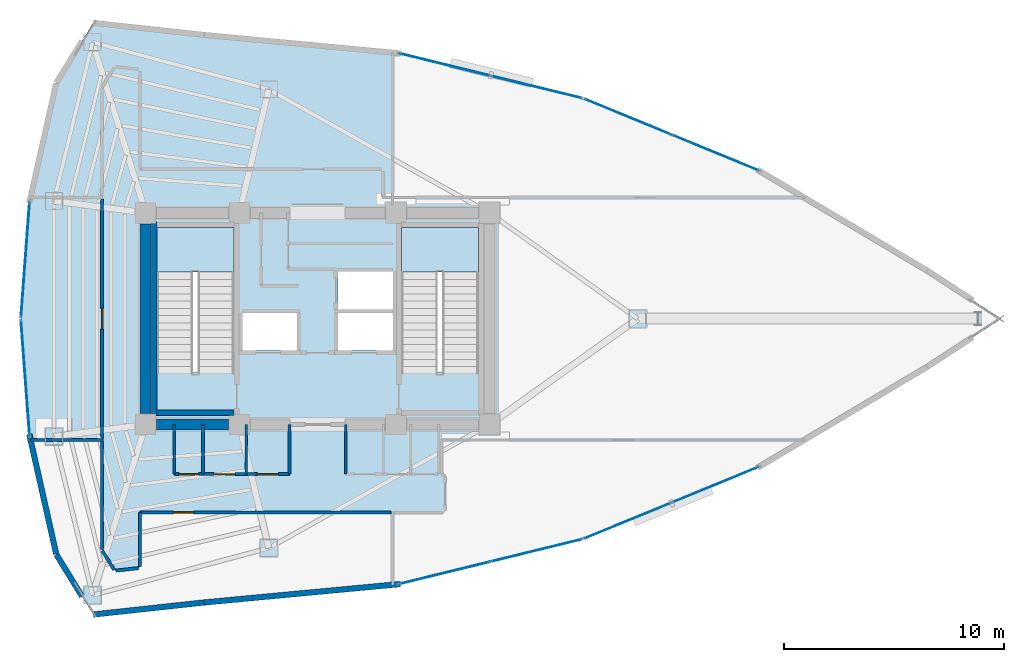
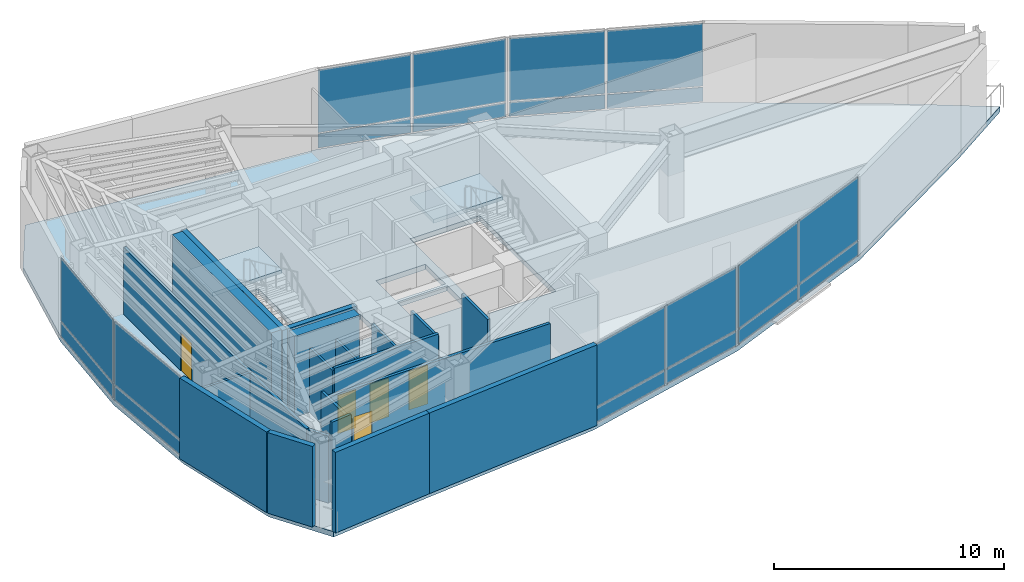
# One storey, part 13 of 17: 21 walls, 20 plates, 5 doors, 3 slabs, 5 openings, 8 elements without a shape of their own.
"""IFC4 building model written with IfcOpenShell, lengths in metres."""

from ifc_helpers import new_model, si_unit, direction, frame, frame_2d, origin, origin_2d, place, context, subcontext, project, spatial, polyline, rectangle, outline, extrude, material, layer, layer_set, type_object, element, fill, aggregate, save


model = new_model("IFC4")

# Units and contexts
model_context = context("Model", 3, precision=1e-05, world=origin(), true_north=direction((0.0, 1.0)))
body_context = subcontext(model_context, "Body", "Model", "MODEL_VIEW")
ifc_project = project(units=[si_unit("LENGTHUNIT", "METRE"), si_unit("AREAUNIT", "SQUARE_METRE"), si_unit("VOLUMEUNIT", "CUBIC_METRE"), si_unit("PLANEANGLEUNIT", "RADIAN"), si_unit("MASSUNIT", "GRAM", prefix="KILO")], contexts=[model_context])

# Site, building, storey
site_placement = place(None, origin())
site = spatial("IfcSite", under=ifc_project, at=site_placement, CompositionType="ELEMENT")
building_placement = place(site_placement, origin())
building = spatial("IfcBuilding", under=site, at=building_placement, Name="Menara Vayukalpa", CompositionType="ELEMENT")
storey_placement = place(building_placement, frame((0.0, 0.0, 242.639892578125)))
storey = spatial("IfcBuildingStorey", under=building, at=storey_placement, Name="L61", CompositionType="ELEMENT", Elevation=242.639892578125)

# Curtain wall, plates
ifc_material_1 = material(Name="Anodised Terracotta Aluminium Alloy 6063-T6", Category="masonry")
ifc_layer_1 = layer(ifc_material_1, 0.179931640625)
ifc_layer_set_1 = layer_set([ifc_layer_1], Name="Anodised Terracotta Aluminium Alloy 6063-T6")
curtain_wall_type = type_object("IfcCurtainWallType", Name="CW-CW4", PredefinedType="USERDEFINED", material=ifc_layer_set_1)
curtain_wall_1_placement = place(storey_placement, origin())
curtain_wall_1 = element("IfcCurtainWall", 1, at=curtain_wall_1_placement, inside=storey, type_object=curtain_wall_type, Name="L61 Sky Bar Cantilever Glazed Curtain Wall CW4 04", ObjectType="UNITISED", PredefinedType="USERDEFINED")
ifc_material_2 = material(Name="Low-E Double Glazing", Category="glass")
ifc_layer_2 = layer(ifc_material_2, 0.0380859375)
ifc_layer_set_2 = layer_set([ifc_layer_2], Name="Low-E Double Glazing")
plate_type = type_object("IfcPlateType", Name="CWP-CW4", PredefinedType="CURTAIN_PANEL", material=ifc_layer_set_2)
plate_1_placement = place(storey_placement, frame((43.641845703125, 29.53271484375, 0.070068359375), z_axis=(0.0, 0.0, 1.0), x_axis=(-0.924970279301, 0.380039448491, 0.0)))
plate_1 = element("IfcPlate", 2, at=plate_1_placement, type_object=plate_type, Name="CW4 panel 1.1", PredefinedType="CURTAIN_PANEL", context=body_context, shape_type="SweptSolid", body=[
    extrude(rectangle(XDim=4.21435546875, YDim=0.0380859375, at=origin_2d()), origin(), (0.0, 0.0, 1.0), 0.7451171875),
])
plate_2_placement = place(storey_placement, frame((43.641845703125, 29.53271484375, 0.88525390625), z_axis=(0.0, 0.0, 1.0), x_axis=(-0.924970279301, 0.380039448491, 0.0)))
plate_2 = element("IfcPlate", 3, at=plate_2_placement, type_object=plate_type, Name="CW4 panel 1.2", PredefinedType="CURTAIN_PANEL", context=body_context, shape_type="SweptSolid", body=[
    extrude(rectangle(XDim=4.21435546875, YDim=0.0380859375, at=origin_2d()), origin(), (0.0, 0.0, 1.0), 3.324951171875),
])
plate_3_placement = place(storey_placement, frame((39.67431640625, 31.16259765625, 0.070068359375), z_axis=(0.0, 0.0, 1.0), x_axis=(-0.924970279301, 0.380039448491, 0.0)))
plate_3 = element("IfcPlate", 4, at=plate_3_placement, type_object=plate_type, Name="CW4 panel 2.1", PredefinedType="CURTAIN_PANEL", context=body_context, shape_type="SweptSolid", body=[
    extrude(rectangle(XDim=4.21435546875, YDim=0.0380859375, at=origin_2d()), origin(), (0.0, 0.0, 1.0), 0.7451171875),
])
plate_4_placement = place(storey_placement, frame((39.67431640625, 31.16259765625, 0.88525390625), z_axis=(0.0, 0.0, 1.0), x_axis=(-0.924970279301, 0.380039448491, 0.0)))
plate_4 = element("IfcPlate", 5, at=plate_4_placement, type_object=plate_type, Name="CW4 panel 2.2", PredefinedType="CURTAIN_PANEL", context=body_context, shape_type="SweptSolid", body=[
    extrude(rectangle(XDim=4.21435546875, YDim=0.0380859375, at=origin_2d()), origin(), (0.0, 0.0, 1.0), 3.324951171875),
])
aggregate(curtain_wall_1, [plate_1, plate_2, plate_3, plate_4])

curtain_wall_2_placement = place(storey_placement, origin())
curtain_wall_2 = element("IfcCurtainWall", 6, at=curtain_wall_2_placement, inside=storey, type_object=curtain_wall_type, Name="L61 Sky Bar Cantilever Glazed Curtain Wall CW4 05", ObjectType="UNITISED", PredefinedType="USERDEFINED")
plate_5_placement = place(storey_placement, frame((35.536376953125, 32.510986328125, 0.070068359375), z_axis=(0.0, 0.0, 1.0), x_axis=(-0.971311749097, 0.237809768652, 0.0)))
plate_5 = element("IfcPlate", 7, at=plate_5_placement, type_object=plate_type, Name="CW4 panel 1.1", PredefinedType="CURTAIN_PANEL", context=body_context, shape_type="SweptSolid", body=[
    extrude(rectangle(XDim=4.21435546875, YDim=0.0380859375, at=origin_2d()), origin(), (0.0, 0.0, 1.0), 0.7451171875),
])
plate_6_placement = place(storey_placement, frame((35.536376953125, 32.510986328125, 0.88525390625), z_axis=(0.0, 0.0, 1.0), x_axis=(-0.971311749097, 0.237809768652, 0.0)))
plate_6 = element("IfcPlate", 8, at=plate_6_placement, type_object=plate_type, Name="CW4 panel 1.2", PredefinedType="CURTAIN_PANEL", context=body_context, shape_type="SweptSolid", body=[
    extrude(rectangle(XDim=4.21435546875, YDim=0.0380859375, at=origin_2d()), origin(), (0.0, 0.0, 1.0), 3.324951171875),
])
plate_7_placement = place(storey_placement, frame((31.3701171875, 33.531005859375, 0.070068359375), z_axis=(0.0, 0.0, 1.0), x_axis=(-0.971311749097, 0.237809768652, 0.0)))
plate_7 = element("IfcPlate", 9, at=plate_7_placement, type_object=plate_type, Name="CW4 panel 2.1", PredefinedType="CURTAIN_PANEL", context=body_context, shape_type="SweptSolid", body=[
    extrude(rectangle(XDim=4.21435546875, YDim=0.0380859375, at=origin_2d()), origin(), (0.0, 0.0, 1.0), 0.7451171875),
])
plate_8_placement = place(storey_placement, frame((31.3701171875, 33.531005859375, 0.88525390625), z_axis=(0.0, 0.0, 1.0), x_axis=(-0.971311749097, 0.237809768652, 0.0)))
plate_8 = element("IfcPlate", 10, at=plate_8_placement, type_object=plate_type, Name="CW4 panel 2.2", PredefinedType="CURTAIN_PANEL", context=body_context, shape_type="SweptSolid", body=[
    extrude(rectangle(XDim=4.21435546875, YDim=0.0380859375, at=origin_2d()), origin(), (0.0, 0.0, 1.0), 3.324951171875),
])
aggregate(curtain_wall_2, [plate_5, plate_6, plate_7, plate_8])

curtain_wall_3_placement = place(storey_placement, origin())
curtain_wall_3 = element("IfcCurtainWall", 11, at=curtain_wall_3_placement, inside=storey, type_object=curtain_wall_type, Name="L61 Sky Bar Cantilever Glazed Curtain Wall CW4 10", ObjectType="UNITISED", PredefinedType="USERDEFINED")
plate_9_placement = place(storey_placement, frame((12.33837890625, 24.67333984375, 0.070068359375), z_axis=(0.0, 0.0, 1.0), x_axis=(-0.074789484574, -0.997199344663, 0.0)))
plate_9 = element("IfcPlate", 12, at=plate_9_placement, type_object=plate_type, Name="CW4 panel 1.1", PredefinedType="CURTAIN_PANEL", context=body_context, shape_type="SweptSolid", body=[
    extrude(rectangle(XDim=5.211669921875, YDim=0.0380859375, at=origin_2d()), origin(), (0.0, 0.0, 1.0), 0.7451171875),
])
plate_10_placement = place(storey_placement, frame((12.33837890625, 24.67333984375, 0.88525390625), z_axis=(0.0, 0.0, 1.0), x_axis=(-0.074789484574, -0.997199344663, 0.0)))
plate_10 = element("IfcPlate", 13, at=plate_10_placement, type_object=plate_type, Name="CW4 panel 1.2", PredefinedType="CURTAIN_PANEL", context=body_context, shape_type="SweptSolid", body=[
    extrude(rectangle(XDim=5.211669921875, YDim=0.0380859375, at=origin_2d()), origin(), (0.0, 0.0, 1.0), 3.324951171875),
])
aggregate(curtain_wall_3, [plate_9, plate_10])

curtain_wall_4_placement = place(storey_placement, origin())
curtain_wall_4 = element("IfcCurtainWall", 14, at=curtain_wall_4_placement, inside=storey, type_object=curtain_wall_type, Name="L61 Sky Bar Cantilever Glazed Curtain Wall CW4 11", ObjectType="UNITISED", PredefinedType="USERDEFINED")
plate_11_placement = place(storey_placement, frame((12.33837890625, 19.32666015625, 0.070068359375), z_axis=(0.0, 0.0, 1.0), x_axis=(0.074789484574, -0.997199344663, 0.0)))
plate_11 = element("IfcPlate", 15, at=plate_11_placement, type_object=plate_type, Name="CW4 panel 1.1", PredefinedType="CURTAIN_PANEL", context=body_context, shape_type="SweptSolid", body=[
    extrude(rectangle(XDim=5.211669921875, YDim=0.0380859375, at=origin_2d()), origin(), (0.0, 0.0, 1.0), 0.7451171875),
])
plate_12_placement = place(storey_placement, frame((12.33837890625, 19.32666015625, 0.88525390625), z_axis=(0.0, 0.0, 1.0), x_axis=(0.074789484574, -0.997199344663, 0.0)))
plate_12 = element("IfcPlate", 16, at=plate_12_placement, type_object=plate_type, Name="CW4 panel 1.2", PredefinedType="CURTAIN_PANEL", context=body_context, shape_type="SweptSolid", body=[
    extrude(rectangle(XDim=5.211669921875, YDim=0.0380859375, at=origin_2d()), origin(), (0.0, 0.0, 1.0), 3.324951171875),
])
aggregate(curtain_wall_4, [plate_11, plate_12])

curtain_wall_5_placement = place(storey_placement, origin())
curtain_wall_5 = element("IfcCurtainWall", 17, at=curtain_wall_5_placement, inside=storey, type_object=curtain_wall_type, Name="L61 Sky Bar Cantilever Glazed Curtain Wall CW4 16", ObjectType="UNITISED", PredefinedType="USERDEFINED")
plate_13_placement = place(storey_placement, frame((31.3701171875, 10.468994140625, 0.070068359375), z_axis=(0.0, 0.0, 1.0), x_axis=(0.971311749097, 0.237809768652, 0.0)))
plate_13 = element("IfcPlate", 18, at=plate_13_placement, type_object=plate_type, Name="CW4 panel 1.1", PredefinedType="CURTAIN_PANEL", context=body_context, shape_type="SweptSolid", body=[
    extrude(rectangle(XDim=4.21435546875, YDim=0.0380859375, at=origin_2d()), origin(), (0.0, 0.0, 1.0), 0.7451171875),
])
plate_14_placement = place(storey_placement, frame((31.3701171875, 10.468994140625, 0.88525390625), z_axis=(0.0, 0.0, 1.0), x_axis=(0.971311749097, 0.237809768652, 0.0)))
plate_14 = element("IfcPlate", 19, at=plate_14_placement, type_object=plate_type, Name="CW4 panel 1.2", PredefinedType="CURTAIN_PANEL", context=body_context, shape_type="SweptSolid", body=[
    extrude(rectangle(XDim=4.21435546875, YDim=0.0380859375, at=origin_2d()), origin(), (0.0, 0.0, 1.0), 3.324951171875),
])
plate_15_placement = place(storey_placement, frame((35.536376953125, 11.489013671875, 0.070068359375), z_axis=(0.0, 0.0, 1.0), x_axis=(0.971311749097, 0.237809768652, 0.0)))
plate_15 = element("IfcPlate", 20, at=plate_15_placement, type_object=plate_type, Name="CW4 panel 2.1", PredefinedType="CURTAIN_PANEL", context=body_context, shape_type="SweptSolid", body=[
    extrude(rectangle(XDim=4.21435546875, YDim=0.0380859375, at=origin_2d()), origin(), (0.0, 0.0, 1.0), 0.7451171875),
])
plate_16_placement = place(storey_placement, frame((35.536376953125, 11.489013671875, 0.88525390625), z_axis=(0.0, 0.0, 1.0), x_axis=(0.971311749097, 0.237809768652, 0.0)))
plate_16 = element("IfcPlate", 21, at=plate_16_placement, type_object=plate_type, Name="CW4 panel 2.2", PredefinedType="CURTAIN_PANEL", context=body_context, shape_type="SweptSolid", body=[
    extrude(rectangle(XDim=4.21435546875, YDim=0.0380859375, at=origin_2d()), origin(), (0.0, 0.0, 1.0), 3.324951171875),
])
aggregate(curtain_wall_5, [plate_13, plate_14, plate_15, plate_16])

curtain_wall_6_placement = place(storey_placement, origin())
curtain_wall_6 = element("IfcCurtainWall", 22, at=curtain_wall_6_placement, inside=storey, type_object=curtain_wall_type, Name="L61 Sky Bar Cantilever Glazed Curtain Wall CW4 17", ObjectType="UNITISED", PredefinedType="USERDEFINED")
plate_17_placement = place(storey_placement, frame((39.67431640625, 12.83740234375, 0.070068359375), z_axis=(0.0, 0.0, 1.0), x_axis=(0.924970279301, 0.380039448491, 0.0)))
plate_17 = element("IfcPlate", 23, at=plate_17_placement, type_object=plate_type, Name="CW4 panel 1.1", PredefinedType="CURTAIN_PANEL", context=body_context, shape_type="SweptSolid", body=[
    extrude(rectangle(XDim=4.21435546875, YDim=0.0380859375, at=origin_2d()), origin(), (0.0, 0.0, 1.0), 0.7451171875),
])
plate_18_placement = place(storey_placement, frame((39.67431640625, 12.83740234375, 0.88525390625), z_axis=(0.0, 0.0, 1.0), x_axis=(0.924970279301, 0.380039448491, 0.0)))
plate_18 = element("IfcPlate", 24, at=plate_18_placement, type_object=plate_type, Name="CW4 panel 1.2", PredefinedType="CURTAIN_PANEL", context=body_context, shape_type="SweptSolid", body=[
    extrude(rectangle(XDim=4.21435546875, YDim=0.0380859375, at=origin_2d()), origin(), (0.0, 0.0, 1.0), 3.324951171875),
])
plate_19_placement = place(storey_placement, frame((43.641845703125, 14.46728515625, 0.070068359375), z_axis=(0.0, 0.0, 1.0), x_axis=(0.924970279301, 0.380039448491, 0.0)))
plate_19 = element("IfcPlate", 25, at=plate_19_placement, type_object=plate_type, Name="CW4 panel 2.1", PredefinedType="CURTAIN_PANEL", context=body_context, shape_type="SweptSolid", body=[
    extrude(rectangle(XDim=4.21435546875, YDim=0.0380859375, at=origin_2d()), origin(), (0.0, 0.0, 1.0), 0.7451171875),
])
plate_20_placement = place(storey_placement, frame((43.641845703125, 14.46728515625, 0.88525390625), z_axis=(0.0, 0.0, 1.0), x_axis=(0.924970279301, 0.380039448491, 0.0)))
plate_20 = element("IfcPlate", 26, at=plate_20_placement, type_object=plate_type, Name="CW4 panel 2.2", PredefinedType="CURTAIN_PANEL", context=body_context, shape_type="SweptSolid", body=[
    extrude(rectangle(XDim=4.21435546875, YDim=0.0380859375, at=origin_2d()), origin(), (0.0, 0.0, 1.0), 3.324951171875),
])
aggregate(curtain_wall_6, [plate_17, plate_18, plate_19, plate_20])

# Slab
ifc_material_3 = material(Name="Concrete C40/50", Category="concrete")
ifc_layer_3 = layer(ifc_material_3, 0.280029296875)
ifc_layer_set_3 = layer_set([ifc_layer_3], Name="Concrete C40/50")
slab_type_1 = type_object("IfcSlabType", Name="SLB-FL280", PredefinedType="FLOOR", material=ifc_layer_set_3)
slab_1_placement = place(storey_placement, frame((0.0, 0.0, -0.27978515625)))
element("IfcSlab", 27, at=slab_1_placement, inside=storey, type_object=slab_type_1, Name="L61 Sky Bar Structural Floor Slab", PredefinedType="FLOOR", context=body_context, shape_type="SweptSolid", body=[
    extrude(outline(polyline([(53.263427734375, 19.816162109375), (56.61474609375, 22.0), (53.263427734375, 24.183837890625), (45.660400390625, 28.703369140625), (37.656005859375, 31.991943359375), (29.250732421875, 34.0498046875), (20.444580078125, 34.877197265625), (15.41748046875, 35.423095703125), (13.741943359375, 32.693359375), (12.5390625, 27.3466796875), (12.137939453125, 22.0), (12.5390625, 16.6533203125), (13.741943359375, 11.306640625), (15.41748046875, 8.576904296875), (20.444580078125, 9.122802734375), (29.250732421875, 9.9501953125), (37.656005859375, 12.008056640625), (45.660400390625, 15.296630859375), (53.263427734375, 19.816162109375)]), holes=[polyline([(21.800048828125, 19.550048828125), (21.800048828125, 26.14990234375), (18.300048828125, 26.14990234375), (18.300048828125, 19.550048828125), (21.800048828125, 19.550048828125)]), polyline([(32.89990234375, 19.550048828125), (32.89990234375, 26.14990234375), (29.39990234375, 26.14990234375), (29.39990234375, 19.550048828125), (32.89990234375, 19.550048828125)]), polyline([(22.179931640625, 20.550048828125), (24.679931640625, 20.550048828125), (24.679931640625, 22.27001953125), (22.179931640625, 22.27001953125), (22.179931640625, 20.550048828125)]), polyline([(26.52001953125, 20.550048828125), (29.02001953125, 20.550048828125), (29.02001953125, 22.27001953125), (26.52001953125, 22.27001953125), (26.52001953125, 20.550048828125)]), polyline([(26.52001953125, 22.419921875), (29.02001953125, 22.419921875), (29.02001953125, 24.139892578125), (26.52001953125, 24.139892578125), (26.52001953125, 22.419921875)])]), origin(), (0.0, 0.0, 1.0), 0.27978515625),
])

# Stair, slab
ifc_material_4 = material(Name="Precast Concrete C40/50", Category="concrete")
stair_type = type_object("IfcStairType", Name="STR-T06", PredefinedType="DOUBLE_RETURN_STAIR", material=ifc_material_4)
stair_1_placement = place(storey_placement, origin())
stair_1 = element("IfcStair", 28, at=stair_1_placement, inside=storey, type_object=stair_type, Name="L61 Core Exit Stair ST-1", PredefinedType="DOUBLE_RETURN_STAIR")
ifc_material_5 = material(Name="Precast Concrete C40/50", Category="concrete")
ifc_layer_4 = layer(ifc_material_5, 0.199951171875)
ifc_layer_set_4 = layer_set([ifc_layer_4], Name="Precast Concrete C40/50")
slab_type_2 = type_object("IfcSlabType", Name="SLB-LND200", PredefinedType="LANDING", material=ifc_layer_set_4)
slab_2_placement = place(storey_placement, frame((0.0, 0.0, 2.050048828125)))
slab_2 = element("IfcSlab", 29, at=slab_2_placement, type_object=slab_type_2, Name="ST-1 landing 1", PredefinedType="LANDING", context=body_context, shape_type="SweptSolid", body=[
    extrude(outline(polyline([(21.800048828125, 24.1201171875), (21.800048828125, 26.14990234375), (18.300048828125, 26.14990234375), (18.300048828125, 24.1201171875), (21.800048828125, 24.1201171875)])), origin(), (0.0, 0.0, 1.0), 0.199951171875),
])
aggregate(stair_1, [slab_2])

stair_2_placement = place(storey_placement, origin())
stair_2 = element("IfcStair", 30, at=stair_2_placement, inside=storey, type_object=stair_type, Name="L61 Core Exit Stair ST-2", PredefinedType="DOUBLE_RETURN_STAIR")
slab_3_placement = place(storey_placement, frame((0.0, 0.0, 2.050048828125)))
slab_3 = element("IfcSlab", 31, at=slab_3_placement, type_object=slab_type_2, Name="ST-2 landing 1", PredefinedType="LANDING", context=body_context, shape_type="SweptSolid", body=[
    extrude(outline(polyline([(32.89990234375, 24.1201171875), (32.89990234375, 26.14990234375), (29.39990234375, 26.14990234375), (29.39990234375, 24.1201171875), (32.89990234375, 24.1201171875)])), origin(), (0.0, 0.0, 1.0), 0.199951171875),
])
aggregate(stair_2, [slab_3])

# Walls
ifc_material_6 = material(Name="Concrete C60/75", Category="concrete")
ifc_layer_5 = layer(ifc_material_6, 0.5)
ifc_layer_set_5 = layer_set([ifc_layer_5], Name="Concrete C60/75")
wall_type_1 = type_object("IfcWallType", Name="WAL-CW500", PredefinedType="SHEAR", material=ifc_layer_set_5)
wall_1_placement = place(storey_placement, frame((18.294921875, 17.199951171875, 0.0), z_axis=(0.0, 0.0, 1.0), x_axis=(1.0, 0.0, 0.0)))
element("IfcWall", 32, at=wall_1_placement, inside=storey, type_object=wall_type_1, Name="L61 Buttressed Core Shear Wall CWS1", PredefinedType="SHEAR", context=body_context, shape_type="SweptSolid", body=[
    extrude(rectangle(XDim=3.260009765625, YDim=0.5, at=frame_2d((1.6298828125, 0.0))), origin(), (0.0, 0.0, 1.0), 4.280029296875),
])
wall_2_placement = place(storey_placement, frame((17.800048828125, 17.695068359375, 0.0), z_axis=(0.0, 0.0, 1.0), x_axis=(0.0, 1.0, 0.0)))
element("IfcWall", 33, at=wall_2_placement, inside=storey, type_object=wall_type_1, Name="L61 Buttressed Core Shear Wall CWW1", PredefinedType="SHEAR", context=body_context, shape_type="SweptSolid", body=[
    extrude(rectangle(XDim=8.60986328125, YDim=0.5, at=frame_2d((4.304931640625, 0.0))), origin(), (0.0, 0.0, 1.0), 4.280029296875),
])
ifc_material_7 = material(Name="Insulated Precast Concrete C40/50", Category="concrete")
ifc_layer_6 = layer(ifc_material_7, 0.260009765625)
ifc_layer_set_6 = layer_set([ifc_layer_6], Name="Insulated Precast Concrete C40/50")
wall_type_2 = type_object("IfcWallType", Name="WAL-EXT260", PredefinedType="PARTITIONING", material=ifc_layer_set_6)
wall_3_placement = place(storey_placement, frame((13.73974609375, 11.316650390625, 0.0), z_axis=(0.0, 0.0, 1.0), x_axis=(-0.219510112872, 0.975610224601, 0.0)))
element("IfcWall", 34, at=wall_3_placement, inside=storey, type_object=wall_type_2, Name="L61 Perimeter Terracotta Pier Wall 12", PredefinedType="PARTITIONING", context=body_context, shape_type="SweptSolid", body=[
    extrude(rectangle(XDim=5.579833984375, YDim=0.260009765625, at=frame_2d((2.7900390625, 0.0))), origin(), (0.0, 0.0, 1.0), 4.280029296875),
])
wall_4_placement = place(storey_placement, frame((14.912353515625, 9.39990234375, 0.0), z_axis=(0.0, 0.0, 1.0), x_axis=(-0.52314291314, 0.852244972077, 0.0)))
element("IfcWall", 35, at=wall_4_placement, inside=storey, type_object=wall_type_2, Name="L61 Perimeter Terracotta Pier Wall 13", PredefinedType="PARTITIONING", context=body_context, shape_type="SweptSolid", body=[
    extrude(rectangle(XDim=2.22705078125, YDim=0.260009765625, at=frame_2d((1.113525390625, 0.0))), origin(), (0.0, 0.0, 1.0), 4.280029296875),
])
wall_5_placement = place(storey_placement, frame((20.450439453125, 9.123291015625, 0.0), z_axis=(0.0, 0.0, 1.0), x_axis=(-0.994158757437, -0.107927591518, 0.0)))
element("IfcWall", 36, at=wall_5_placement, inside=storey, type_object=wall_type_2, Name="L61 Perimeter Terracotta Pier Wall 14", PredefinedType="PARTITIONING", context=body_context, shape_type="SweptSolid", body=[
    extrude(rectangle(XDim=5.0625, YDim=0.260009765625, at=frame_2d((2.53125, 0.0))), origin(), (0.0, 0.0, 1.0), 4.280029296875),
])
wall_6_placement = place(storey_placement, frame((29.360107421875, 9.96044921875, 0.0), z_axis=(0.0, 0.0, 1.0), x_axis=(-0.995616246459, -0.093532292754, 0.0)))
element("IfcWall", 37, at=wall_6_placement, inside=storey, type_object=wall_type_2, Name="L61 Perimeter Terracotta Pier Wall 15", PredefinedType="PARTITIONING", context=body_context, shape_type="SweptSolid", body=[
    extrude(rectangle(XDim=8.9609375, YDim=0.260009765625, at=frame_2d((4.48046875, 0.0))), origin(), (0.0, 0.0, 1.0), 4.280029296875),
])
ifc_material_8 = material(Name="Acoustic Mineral Stud Partition", Category="masonry")
ifc_layer_7 = layer(ifc_material_8, 0.110107421875)
ifc_layer_set_7 = layer_set([ifc_layer_7], Name="Acoustic Mineral Stud Partition")
wall_type_3 = type_object("IfcWallType", Name="WAL-PT110", PredefinedType="PARTITIONING", material=ifc_layer_set_7)
wall_7_placement = place(storey_placement, frame((22.360107421875, 14.949951171875, 0.0), z_axis=(0.0, 0.0, 1.0), x_axis=(0.0, 1.0, 0.0)))
element("IfcWall", 38, at=wall_7_placement, inside=storey, type_object=wall_type_3, Name="L61 Interior Partition IW-L61-SVCD-03", PredefinedType="PARTITIONING", context=body_context, shape_type="SweptSolid", body=[
    extrude(rectangle(XDim=2.25, YDim=0.110107421875, at=frame_2d((1.125, 0.0))), origin(), (0.0, 0.0, 1.0), 3.41015625),
])
ifc_material_9 = material(Name="Gypsum Drywall Steel Stud Assembly", Category="steel")
ifc_layer_8 = layer(ifc_material_9, 0.125)
ifc_layer_set_8 = layer_set([ifc_layer_8], Name="Gypsum Drywall Steel Stud Assembly")
wall_type_4 = type_object("IfcWallType", Name="WAL-PT125", PredefinedType="PARTITIONING", material=ifc_layer_set_8)
for number, where, z_axis, x_axis, name in (
    (39, (19.10009765625, 14.949951171875, 0.0), (0.0, 0.0, 1.0), (0.0, 1.0, 0.0), "L61 Interior Partition IW-L61-SVCD-01"),
    (40, (20.39990234375, 14.949951171875, 0.0), (0.0, 0.0, 1.0), (0.0, 1.0, 0.0), "L61 Interior Partition IW-L61-SVCD-02"),
    (41, (24.320068359375, 14.949951171875, 0.0), (0.0, 0.0, 1.0), (0.0, 1.0, 0.0), "L61 Interior Partition IW-L61-SVCD-04"),
    (42, (26.8798828125, 14.949951171875, 0.0), (0.0, 0.0, 1.0), (0.0, 1.0, 0.0), "L61 Interior Partition IW-L61-SVCD-05"),
):
    element("IfcWall", number, at=place(storey_placement, frame(where, z_axis=z_axis, x_axis=x_axis)), inside=storey, type_object=wall_type_4, Name=name, PredefinedType="PARTITIONING", context=body_context, shape_type="SweptSolid", body=[
        extrude(rectangle(XDim=2.25, YDim=0.125, at=frame_2d((1.125, 0.0))), origin(), (0.0, 0.0, 1.0), 3.41015625),
    ])
wall_8_placement = place(storey_placement, frame((12.563232421875, 16.5, 0.0), z_axis=(0.0, 0.0, 1.0), x_axis=(1.0, 0.0, 0.0)))
element("IfcWall", 43, at=wall_8_placement, inside=storey, type_object=wall_type_4, Name="L61 Interior Partition IW-L61-RDIV03", PredefinedType="PARTITIONING", context=body_context, shape_type="SweptSolid", body=[
    extrude(rectangle(XDim=3.306884765625, YDim=0.125, at=frame_2d((1.6533203125, 0.0))), origin(), (0.0, 0.0, 1.0), 3.56005859375),
])

# Wall, openings, doors
ifc_material_10 = material(Name="Gypsum Drywall Acoustic Stud Assembly", Category="masonry")
ifc_layer_9 = layer(ifc_material_10, 0.14501953125)
ifc_layer_set_9 = layer_set([ifc_layer_9], Name="Gypsum Drywall Acoustic Stud Assembly")
wall_type_5 = type_object("IfcWallType", Name="WAL-PT150", PredefinedType="PARTITIONING", material=ifc_layer_set_9)
wall_9_placement = place(storey_placement, frame((19.10009765625, 14.949951171875, 0.0), z_axis=(0.0, 0.0, 1.0), x_axis=(1.0, 0.0, 0.0)))
wall_9 = element("IfcWall", 44, at=wall_9_placement, inside=storey, type_object=wall_type_5, Name="L61 Interior Partition IW-L61-SVCS-W", PredefinedType="PARTITIONING", context=body_context, shape_type="SweptSolid", body=[
    extrude(rectangle(XDim=5.219970703125, YDim=0.14501953125, at=frame_2d((2.60986328125, 0.0))), origin(), (0.0, 0.0, 1.0), 3.56005859375),
])
opening_1_placement = place(wall_9_placement, frame((0.199951171875, 0.0, 0.0)))
opening_1 = element("IfcOpeningElement", 45, at=opening_1_placement, cuts=wall_9, Name="Opening ID7", PredefinedType="OPENING", context=body_context, shape_type="SweptSolid", body=[
    extrude(rectangle(XDim=0.89990234375, YDim=2.02001953125, at=frame_2d((0.449951171875, 1.010009765625))), frame((0.0, 0.08251953125, 0.0), z_axis=(0.0, -1.0, 0.0), x_axis=(1.0, 0.0, 0.0)), (0.0, 0.0, 1.0), 0.1650390625),
])
opening_2_placement = place(wall_9_placement, frame((1.804931640625, 0.0, 0.0)))
opening_2 = element("IfcOpeningElement", 46, at=opening_2_placement, cuts=wall_9, Name="Opening ID5", PredefinedType="OPENING", context=body_context, shape_type="SweptSolid", body=[
    extrude(rectangle(XDim=0.949951171875, YDim=2.06005859375, at=frame_2d((0.47509765625, 1.030029296875))), frame((0.0, 0.08251953125, 0.0), z_axis=(0.0, -1.0, 0.0), x_axis=(1.0, 0.0, 0.0)), (0.0, 0.0, 1.0), 0.1650390625),
])
opening_3_placement = place(wall_9_placement, frame((3.764892578125, 0.0, 0.0)))
opening_3 = element("IfcOpeningElement", 47, at=opening_3_placement, cuts=wall_9, Name="Opening ID5", PredefinedType="OPENING", context=body_context, shape_type="SweptSolid", body=[
    extrude(rectangle(XDim=0.949951171875, YDim=2.06005859375, at=frame_2d((0.47509765625, 1.030029296875))), frame((0.0, 0.08251953125, 0.0), z_axis=(0.0, -1.0, 0.0), x_axis=(1.0, 0.0, 0.0)), (0.0, 0.0, 1.0), 0.1650390625),
])
ifc_material_11 = material(Name="Acoustic Hardwood Veneer Timber Door", Category="wood")
door_type_1 = type_object("IfcDoorType", Name="DR-INT95", OperationType="NOTDEFINED", PredefinedType="DOOR", material=ifc_material_11)
door_1_placement = place(opening_2_placement, origin())
door_1 = element("IfcDoor", 48, at=door_1_placement, inside=storey, type_object=door_type_1, Name="L61 Interior Door DR-L61-AWC", OperationType="SINGLE_SWING_LEFT", OverallHeight=2.06005859375, OverallWidth=0.949951171875, PredefinedType="DOOR", context=body_context, shape_type="SweptSolid", body=[
    extrude(rectangle(XDim=0.949951171875, YDim=2.06005859375, at=frame_2d((0.47509765625, 1.030029296875))), frame((0.0, 0.02490234375, 0.0), z_axis=(0.0, -1.0, 0.0), x_axis=(1.0, 0.0, 0.0)), (0.0, 0.0, 1.0), 0.050048828125),
])
fill(opening_2, door_1)
door_2_placement = place(opening_3_placement, origin())
door_2 = element("IfcDoor", 49, at=door_2_placement, inside=storey, type_object=door_type_1, Name="L61 Interior Door DR-L61-SWC", OperationType="SINGLE_SWING_RIGHT", OverallHeight=2.06005859375, OverallWidth=0.949951171875, PredefinedType="DOOR", context=body_context, shape_type="SweptSolid", body=[
    extrude(rectangle(XDim=0.949951171875, YDim=2.06005859375, at=frame_2d((0.47509765625, 1.030029296875))), frame((0.0, 0.02490234375, 0.0), z_axis=(0.0, -1.0, 0.0), x_axis=(1.0, 0.0, 0.0)), (0.0, 0.0, 1.0), 0.050048828125),
])
fill(opening_3, door_2)
ifc_material_12 = material(Name="Powder-Coated Steel Riser Access Door", Category="steel")
door_type_2 = type_object("IfcDoorType", Name="DR-RISER", OperationType="NOTDEFINED", PredefinedType="DOOR", material=ifc_material_12)
door_3_placement = place(opening_1_placement, origin())
door_3 = element("IfcDoor", 50, at=door_3_placement, inside=storey, type_object=door_type_2, Name="L61 Interior Door DR-L61-ELR", OperationType="SINGLE_SWING_RIGHT", OverallHeight=2.02001953125, OverallWidth=0.89990234375, PredefinedType="DOOR", context=body_context, shape_type="SweptSolid", body=[
    extrude(rectangle(XDim=0.89990234375, YDim=2.02001953125, at=frame_2d((0.449951171875, 1.010009765625))), frame((0.0, 0.02490234375, 0.0), z_axis=(0.0, -1.0, 0.0), x_axis=(1.0, 0.0, 0.0)), (0.0, 0.0, 1.0), 0.050048828125),
])
fill(opening_1, door_3)

# Walls
wall_10_placement = place(storey_placement, frame((15.820068359375, 16.429931640625, 0.0), z_axis=(0.0, 0.0, 1.0), x_axis=(0.0, -1.0, 0.0)))
element("IfcWall", 51, at=wall_10_placement, inside=storey, type_object=wall_type_5, Name="L61 Interior Partition IW-L61-CRM02-1", PredefinedType="PARTITIONING", context=body_context, shape_type="SweptSolid", body=[
    extrude(rectangle(XDim=4.911376953125, YDim=0.14501953125, at=frame_2d((2.45556640625, 0.0))), origin(), (0.0, 0.0, 1.0), 3.56005859375),
])
wall_11_placement = place(storey_placement, frame((15.831787109375, 11.4765625, 0.0), z_axis=(0.0, 0.0, 1.0), x_axis=(0.523122844464, -0.852257290729, 0.0)))
element("IfcWall", 52, at=wall_11_placement, inside=storey, type_object=wall_type_5, Name="L61 Interior Partition IW-L61-CRM02-2", PredefinedType="PARTITIONING", context=body_context, shape_type="SweptSolid", body=[
    extrude(rectangle(XDim=1.020751953125, YDim=0.14501953125, at=frame_2d((0.51025390625, 0.0))), origin(), (0.0, 0.0, 1.0), 3.56005859375),
])
wall_12_placement = place(storey_placement, frame((16.4423828125, 10.569091796875, 0.0), z_axis=(0.0, 0.0, 1.0), x_axis=(0.994140595739, 0.108094754283, 0.0)))
element("IfcWall", 53, at=wall_12_placement, inside=storey, type_object=wall_type_5, Name="L61 Interior Partition IW-L61-CRM02-3", PredefinedType="PARTITIONING", context=body_context, shape_type="SweptSolid", body=[
    extrude(rectangle(XDim=1.0322265625, YDim=0.14501953125, at=frame_2d((0.51611328125, 0.0))), origin(), (0.0, 0.0, 1.0), 4.280029296875),
])
wall_13_placement = place(storey_placement, frame((17.5400390625, 10.760009765625, 0.0), z_axis=(0.0, 0.0, 1.0), x_axis=(0.0, 1.0, 0.0)))
element("IfcWall", 54, at=wall_13_placement, inside=storey, type_object=wall_type_5, Name="L61 Interior Partition IW-L61-CRM02-4", PredefinedType="PARTITIONING", context=body_context, shape_type="SweptSolid", body=[
    extrude(rectangle(XDim=2.449951171875, YDim=0.14501953125, at=frame_2d((1.22509765625, 0.0))), origin(), (0.0, 0.0, 1.0), 3.91015625),
])

# Wall, opening, door
wall_14_placement = place(storey_placement, frame((17.5400390625, 13.2099609375, 0.0), z_axis=(0.0, 0.0, 1.0), x_axis=(1.0, 0.0, 0.0)))
wall_14 = element("IfcWall", 55, at=wall_14_placement, inside=storey, type_object=wall_type_5, Name="L61 Interior Partition IW-L61-CRM02-5", PredefinedType="PARTITIONING", context=body_context, shape_type="SweptSolid", body=[
    extrude(rectangle(XDim=11.389892578125, YDim=0.14501953125, at=frame_2d((5.69482421875, 0.0))), origin(), (0.0, 0.0, 1.0), 3.56005859375),
])
opening_4_placement = place(wall_14_placement, frame((1.518798828125, 0.0, 0.0)))
opening_4 = element("IfcOpeningElement", 56, at=opening_4_placement, cuts=wall_14, Name="Opening ID6", PredefinedType="OPENING", context=body_context, shape_type="SweptSolid", body=[
    extrude(rectangle(XDim=0.919921875, YDim=2.050048828125, at=frame_2d((0.4599609375, 1.02490234375))), frame((0.0, 0.08251953125, 0.0), z_axis=(0.0, -1.0, 0.0), x_axis=(1.0, 0.0, 0.0)), (0.0, 0.0, 1.0), 0.1650390625),
])
ifc_material_13 = material(Name="Acoustic Hardwood Veneer Timber Door", Category="wood")
door_type_3 = type_object("IfcDoorType", Name="DR-INT92", OperationType="NOTDEFINED", PredefinedType="DOOR", material=ifc_material_13)
door_4_placement = place(opening_4_placement, origin())
door_4 = element("IfcDoor", 57, at=door_4_placement, inside=storey, type_object=door_type_3, Name="L61 Interior Door DR-L61-RM02", OperationType="SINGLE_SWING_RIGHT", OverallHeight=2.050048828125, OverallWidth=0.919921875, PredefinedType="DOOR", context=body_context, shape_type="SweptSolid", body=[
    extrude(rectangle(XDim=0.919921875, YDim=2.050048828125, at=frame_2d((0.4599609375, 1.02490234375))), frame((0.0, 0.02490234375, 0.0), z_axis=(0.0, -1.0, 0.0), x_axis=(1.0, 0.0, 0.0)), (0.0, 0.0, 1.0), 0.050048828125),
])
fill(opening_4, door_4)

wall_15_placement = place(storey_placement, frame((15.820068359375, 27.429931640625, 0.0), z_axis=(0.0, 0.0, 1.0), x_axis=(0.0, -1.0, 0.0)))
wall_15 = element("IfcWall", 58, at=wall_15_placement, inside=storey, type_object=wall_type_5, Name="L61 Interior Partition IW-L61-CRM07-1", PredefinedType="PARTITIONING", context=body_context, shape_type="SweptSolid", body=[
    extrude(rectangle(XDim=10.85986328125, YDim=0.14501953125, at=frame_2d((5.429931640625, 0.0))), origin(), (0.0, 0.0, 1.0), 3.56005859375),
])
opening_5_placement = place(wall_15_placement, frame((4.955078125, 0.0, 0.0)))
opening_5 = element("IfcOpeningElement", 59, at=opening_5_placement, cuts=wall_15, Name="Opening ID5", PredefinedType="OPENING", context=body_context, shape_type="SweptSolid", body=[
    extrude(rectangle(XDim=0.949951171875, YDim=2.06005859375, at=frame_2d((0.47509765625, 1.030029296875))), frame((0.0, 0.08251953125, 0.0), z_axis=(0.0, -1.0, 0.0), x_axis=(1.0, 0.0, 0.0)), (0.0, 0.0, 1.0), 0.1650390625),
])
door_5_placement = place(opening_5_placement, origin())
door_5 = element("IfcDoor", 60, at=door_5_placement, inside=storey, type_object=door_type_1, Name="L61 Interior Door DR-L61-RM07", OperationType="SINGLE_SWING_LEFT", OverallHeight=2.06005859375, OverallWidth=0.949951171875, PredefinedType="DOOR", context=body_context, shape_type="SweptSolid", body=[
    extrude(rectangle(XDim=0.949951171875, YDim=2.06005859375, at=frame_2d((0.47509765625, 1.030029296875))), frame((0.0, 0.02490234375, 0.0), z_axis=(0.0, -1.0, 0.0), x_axis=(1.0, 0.0, 0.0)), (0.0, 0.0, 1.0), 0.050048828125),
])
fill(opening_5, door_5)

# Walls
ifc_material_14 = material(Name="Concrete C50/60", Category="concrete")
ifc_layer_10 = layer(ifc_material_14, 0.25)
ifc_layer_set_10 = layer_set([ifc_layer_10], Name="Concrete C50/60")
wall_type_6 = type_object("IfcWallType", Name="WAL-SW250", PredefinedType="SHEAR", material=ifc_layer_set_10)
wall_16_placement = place(storey_placement, frame((18.178955078125, 17.60009765625, 0.0), z_axis=(0.0, 0.0, 1.0), x_axis=(0.0, 1.0, 0.0)))
element("IfcWall", 61, at=wall_16_placement, inside=storey, type_object=wall_type_6, Name="L61 ST1 Structural Stair Shaft Wall W", PredefinedType="SHEAR", context=body_context, shape_type="SweptSolid", body=[
    extrude(rectangle(XDim=8.7998046875, YDim=0.25, at=frame_2d((4.39990234375, 0.0))), origin(), (0.0, 0.0, 1.0), 4.280029296875),
])
wall_17_placement = place(storey_placement, frame((18.303955078125, 17.72509765625, 0.0), z_axis=(0.0, 0.0, 1.0), x_axis=(1.0, 0.0, 0.0)))
element("IfcWall", 62, at=wall_17_placement, inside=storey, type_object=wall_type_6, Name="L61 ST1 Structural Stair Shaft Wall S", PredefinedType="SHEAR", context=body_context, shape_type="SweptSolid", body=[
    extrude(rectangle(XDim=3.49609375, YDim=0.25, at=frame_2d((1.748046875, 0.0))), origin(), (0.0, 0.0, 1.0), 4.280029296875),
])

save(model, "model.ifc")
